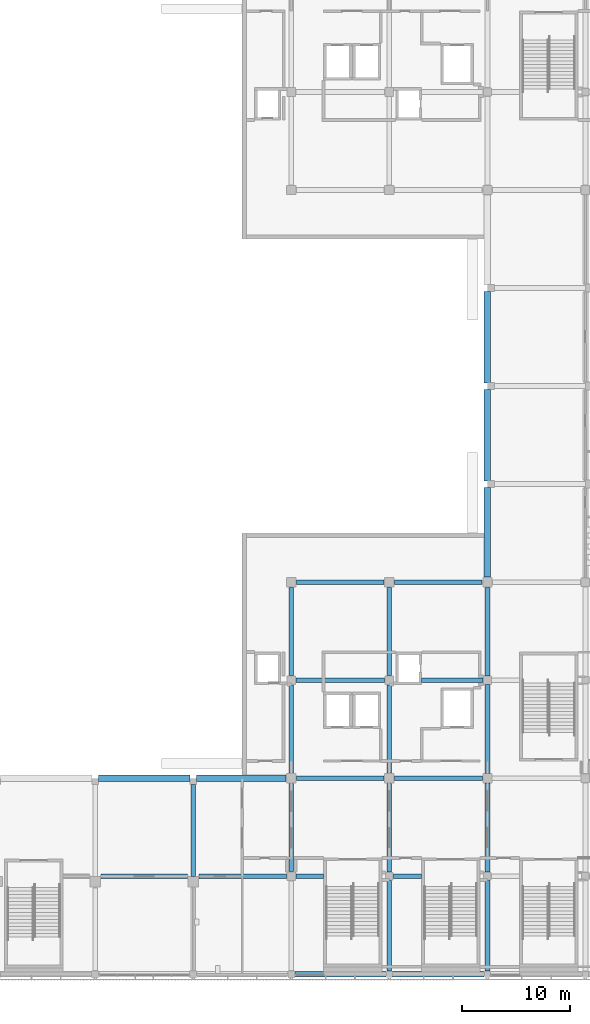
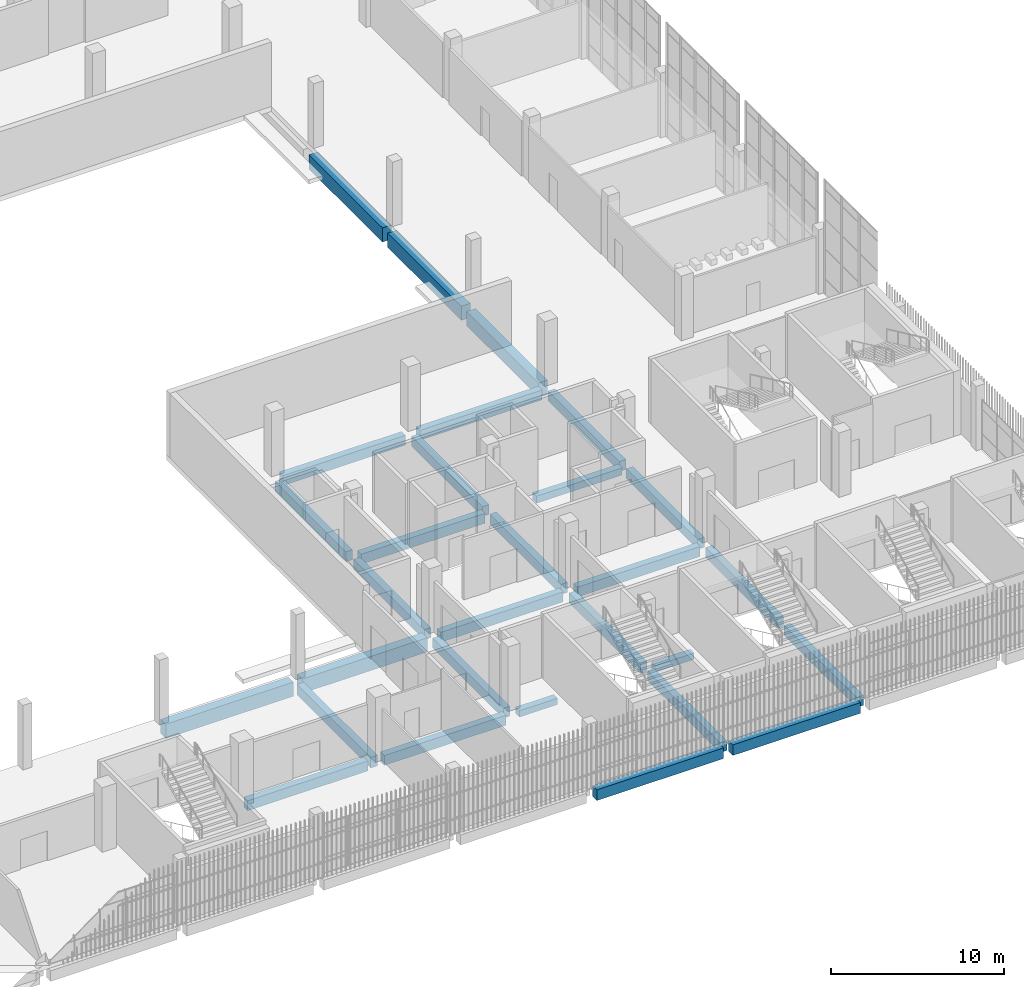
# One storey, part 24 of 126: 29 beams.
"""IFC4 building model written with IfcOpenShell, lengths in metres."""

from ifc_helpers import new_model, si_unit, direction, frame, origin, origin_2d, place, context, subcontext, project, spatial, rectangle, extrude, material, material_profile, profile_set, type_object, element, save


model = new_model("IFC4")

# Units and contexts
model_context = context("Model", 3, precision=1e-05, world=origin(), true_north=direction((0.0, 1.0)))
body_context = subcontext(model_context, "Body", "Model", "MODEL_VIEW")
ifc_project = project(units=[si_unit("LENGTHUNIT", "METRE"), si_unit("AREAUNIT", "SQUARE_METRE"), si_unit("VOLUMEUNIT", "CUBIC_METRE"), si_unit("PLANEANGLEUNIT", "RADIAN"), si_unit("MASSUNIT", "GRAM", prefix="KILO")], contexts=[model_context])

# Site, building, storey
site_placement = place(None, origin())
site = spatial("IfcSite", under=ifc_project, at=site_placement, CompositionType="ELEMENT")
building_placement = place(site_placement, origin())
building = spatial("IfcBuilding", under=site, at=building_placement, Name="Shirokan Park Arena", CompositionType="ELEMENT")
storey_placement = place(building_placement, frame((0.0, 0.0, 6.3701171875)))
storey = spatial("IfcBuildingStorey", under=building, at=storey_placement, Name="L01", CompositionType="ELEMENT", Elevation=6.3701171875)

# Beams
ifc_material = material(Name="Concrete C35", Category="concrete")
ifc_material_profile_1 = material_profile(ifc_material, rectangle(XDim=0.449951171875, YDim=0.5, at=origin_2d()), Name="450x500")
ifc_profile_set_1 = profile_set([ifc_material_profile_1], Name="Concrete C35")
beam_type_1 = type_object("IfcBeamType", Name="RC girder 450x500", PredefinedType="BEAM", material=ifc_profile_set_1)
beam_1_placement = place(storey_placement, frame((121.300048828125, 27.300048828125, -0.60009765625), z_axis=(1.0, 0.0, 0.0), x_axis=(0.0, 1.0, 0.0)))
element("IfcBeam", 1, at=beam_1_placement, inside=storey, type_object=beam_type_1, Name="Girder 14D-15D L01", PredefinedType="BEAM", context=body_context, shape_type="SweptSolid", body=[
    extrude(rectangle(XDim=0.449951171875, YDim=0.5, at=origin_2d()), origin(), (0.0, 0.0, 1.0), 5.699951171875),
])
ifc_material_profile_2 = material_profile(ifc_material, rectangle(XDim=0.449951171875, YDim=0.699951171875, at=origin_2d()), Name="450x700")
ifc_profile_set_2 = profile_set([ifc_material_profile_2], Name="Concrete C35")
beam_type_2 = type_object("IfcBeamType", Name="RC girder 450x700", PredefinedType="BEAM", material=ifc_profile_set_2)
beam_2_placement = place(storey_placement, frame((91.550048828125, 9.10009765625, -0.7001953125), z_axis=(1.0, 0.0, 0.0), x_axis=(0.0, 1.0, 0.0)))
element("IfcBeam", 2, at=beam_2_placement, inside=storey, type_object=beam_type_2, Name="Girder 11B-12B L01", PredefinedType="BEAM", context=body_context, shape_type="SweptSolid", body=[
    extrude(rectangle(XDim=0.449951171875, YDim=0.699951171875, at=origin_2d()), origin(), (0.0, 0.0, 1.0), 7.999755859375),
])
beam_3_placement = place(storey_placement, frame((100.650146484375, 9.10009765625, -0.7001953125), z_axis=(1.0, 0.0, 0.0), x_axis=(0.0, 1.0, 0.0)))
element("IfcBeam", 3, at=beam_3_placement, inside=storey, type_object=beam_type_2, Name="Girder 12B-13B L01", PredefinedType="BEAM", context=body_context, shape_type="SweptSolid", body=[
    extrude(rectangle(XDim=0.449951171875, YDim=0.699951171875, at=origin_2d()), origin(), (0.0, 0.0, 1.0), 8.099853515625),
])
beam_4_placement = place(storey_placement, frame((109.675048828125, 18.199951171875, -0.7001953125), z_axis=(1.0, 0.0, 0.0), x_axis=(0.0, 1.0, 0.0)))
element("IfcBeam", 4, at=beam_4_placement, inside=storey, type_object=beam_type_2, Name="Girder 13C-14C L01", PredefinedType="BEAM", context=body_context, shape_type="SweptSolid", body=[
    extrude(rectangle(XDim=0.449951171875, YDim=0.699951171875, at=origin_2d()), origin(), (0.0, 0.0, 1.0), 8.14990234375),
])
beam_5_placement = place(storey_placement, frame((109.625, 27.300048828125, -0.7001953125), z_axis=(1.0, 0.0, 0.0), x_axis=(0.0, 1.0, 0.0)))
element("IfcBeam", 5, at=beam_5_placement, inside=storey, type_object=beam_type_2, Name="Girder 13D-14D L01", PredefinedType="BEAM", context=body_context, shape_type="SweptSolid", body=[
    extrude(rectangle(XDim=0.449951171875, YDim=0.699951171875, at=origin_2d()), origin(), (0.0, 0.0, 1.0), 8.25),
])
beam_6_placement = place(storey_placement, frame((109.675048828125, 36.39990234375, -0.7001953125), z_axis=(1.0, 0.0, 0.0), x_axis=(0.0, 1.0, 0.0)))
element("IfcBeam", 6, at=beam_6_placement, inside=storey, type_object=beam_type_2, Name="Girder 13E-14E L01", PredefinedType="BEAM", context=body_context, shape_type="SweptSolid", body=[
    extrude(rectangle(XDim=0.449951171875, YDim=0.699951171875, at=origin_2d()), origin(), (0.0, 0.0, 1.0), 8.14990234375),
])
beam_7_placement = place(storey_placement, frame((118.775146484375, 18.199951171875, -0.7001953125), z_axis=(1.0, 0.0, 0.0), x_axis=(0.0, 1.0, 0.0)))
element("IfcBeam", 7, at=beam_7_placement, inside=storey, type_object=beam_type_2, Name="Girder 14C-15C L01", PredefinedType="BEAM", context=body_context, shape_type="SweptSolid", body=[
    extrude(rectangle(XDim=0.449951171875, YDim=0.699951171875, at=origin_2d()), origin(), (0.0, 0.0, 1.0), 8.1748046875),
])
beam_8_placement = place(storey_placement, frame((118.775146484375, 36.39990234375, -0.7001953125), z_axis=(1.0, 0.0, 0.0), x_axis=(0.0, 1.0, 0.0)))
element("IfcBeam", 8, at=beam_8_placement, inside=storey, type_object=beam_type_2, Name="Girder 14E-15E L01", PredefinedType="BEAM", context=body_context, shape_type="SweptSolid", body=[
    extrude(rectangle(XDim=0.449951171875, YDim=0.699951171875, at=origin_2d()), origin(), (0.0, 0.0, 1.0), 8.149658203125),
])
beam_9_placement = place(storey_placement, frame((109.199951171875, 9.550048828125, -0.7001953125), z_axis=(0.0, 1.0, 0.0), x_axis=(-1.0, 0.0, 0.0)))
element("IfcBeam", 9, at=beam_9_placement, inside=storey, type_object=beam_type_2, Name="Girder 13B-13C L01", PredefinedType="BEAM", context=body_context, shape_type="SweptSolid", body=[
    extrude(rectangle(XDim=0.449951171875, YDim=0.699951171875, at=origin_2d()), origin(), (0.0, 0.0, 1.0), 8.1748046875),
])
beam_10_placement = place(storey_placement, frame((109.199951171875, 18.675048828125, -0.7001953125), z_axis=(0.0, 1.0, 0.0), x_axis=(-1.0, 0.0, 0.0)))
element("IfcBeam", 10, at=beam_10_placement, inside=storey, type_object=beam_type_2, Name="Girder 13C-13D L01", PredefinedType="BEAM", context=body_context, shape_type="SweptSolid", body=[
    extrude(rectangle(XDim=0.449951171875, YDim=0.699951171875, at=origin_2d()), origin(), (0.0, 0.0, 1.0), 8.199951171875),
])
beam_11_placement = place(storey_placement, frame((109.199951171875, 27.72509765625, -0.7001953125), z_axis=(0.0, 1.0, 0.0), x_axis=(-1.0, 0.0, 0.0)))
element("IfcBeam", 11, at=beam_11_placement, inside=storey, type_object=beam_type_2, Name="Girder 13D-13E L01", PredefinedType="BEAM", context=body_context, shape_type="SweptSolid", body=[
    extrude(rectangle(XDim=0.449951171875, YDim=0.699951171875, at=origin_2d()), origin(), (0.0, 0.0, 1.0), 8.19970703125),
])
beam_12_placement = place(storey_placement, frame((118.300048828125, 0.300048828125, -0.7001953125), z_axis=(0.0, 1.0, 0.0), x_axis=(-1.0, 0.0, 0.0)))
element("IfcBeam", 12, at=beam_12_placement, inside=storey, type_object=beam_type_2, Name="Girder 14A-14B L01", PredefinedType="BEAM", context=body_context, shape_type="SweptSolid", body=[
    extrude(rectangle(XDim=0.449951171875, YDim=0.699951171875, at=origin_2d()), origin(), (0.0, 0.0, 1.0), 8.39990234375),
])
beam_13_placement = place(storey_placement, frame((118.300048828125, 9.5, -0.7001953125), z_axis=(0.0, 1.0, 0.0), x_axis=(-1.0, 0.0, 0.0)))
element("IfcBeam", 13, at=beam_13_placement, inside=storey, type_object=beam_type_2, Name="Girder 14B-14C L01", PredefinedType="BEAM", context=body_context, shape_type="SweptSolid", body=[
    extrude(rectangle(XDim=0.449951171875, YDim=0.699951171875, at=origin_2d()), origin(), (0.0, 0.0, 1.0), 8.224853515625),
])
beam_14_placement = place(storey_placement, frame((118.300048828125, 18.675048828125, -0.7001953125), z_axis=(0.0, 1.0, 0.0), x_axis=(-1.0, 0.0, 0.0)))
element("IfcBeam", 14, at=beam_14_placement, inside=storey, type_object=beam_type_2, Name="Girder 14C-14D L01", PredefinedType="BEAM", context=body_context, shape_type="SweptSolid", body=[
    extrude(rectangle(XDim=0.449951171875, YDim=0.699951171875, at=origin_2d()), origin(), (0.0, 0.0, 1.0), 8.199951171875),
])
beam_15_placement = place(storey_placement, frame((118.300048828125, 27.72509765625, -0.7001953125), z_axis=(0.0, 1.0, 0.0), x_axis=(-1.0, 0.0, 0.0)))
element("IfcBeam", 15, at=beam_15_placement, inside=storey, type_object=beam_type_2, Name="Girder 14D-14E L01", PredefinedType="BEAM", context=body_context, shape_type="SweptSolid", body=[
    extrude(rectangle(XDim=0.449951171875, YDim=0.699951171875, at=origin_2d()), origin(), (0.0, 0.0, 1.0), 8.19970703125),
])
beam_16_placement = place(storey_placement, frame((127.39990234375, 0.300048828125, -0.7001953125), z_axis=(0.0, 1.0, 0.0), x_axis=(-1.0, 0.0, 0.0)))
element("IfcBeam", 16, at=beam_16_placement, inside=storey, type_object=beam_type_2, Name="Girder 15A-15B L01", PredefinedType="BEAM", context=body_context, shape_type="SweptSolid", body=[
    extrude(rectangle(XDim=0.449951171875, YDim=0.699951171875, at=origin_2d()), origin(), (0.0, 0.0, 1.0), 8.39990234375),
])
beam_17_placement = place(storey_placement, frame((127.39990234375, 9.5, -0.7001953125), z_axis=(0.0, 1.0, 0.0), x_axis=(-1.0, 0.0, 0.0)))
element("IfcBeam", 17, at=beam_17_placement, inside=storey, type_object=beam_type_2, Name="Girder 15B-15C L01", PredefinedType="BEAM", context=body_context, shape_type="SweptSolid", body=[
    extrude(rectangle(XDim=0.449951171875, YDim=0.699951171875, at=origin_2d()), origin(), (0.0, 0.0, 1.0), 8.25),
])
beam_18_placement = place(storey_placement, frame((127.39990234375, 18.650146484375, -0.7001953125), z_axis=(0.0, 1.0, 0.0), x_axis=(-1.0, 0.0, 0.0)))
element("IfcBeam", 18, at=beam_18_placement, inside=storey, type_object=beam_type_2, Name="Girder 15C-15D L01", PredefinedType="BEAM", context=body_context, shape_type="SweptSolid", body=[
    extrude(rectangle(XDim=0.449951171875, YDim=0.699951171875, at=origin_2d()), origin(), (0.0, 0.0, 1.0), 8.249755859375),
])
beam_19_placement = place(storey_placement, frame((127.39990234375, 27.7001953125, -0.7001953125), z_axis=(0.0, 1.0, 0.0), x_axis=(-1.0, 0.0, 0.0)))
element("IfcBeam", 19, at=beam_19_placement, inside=storey, type_object=beam_type_2, Name="Girder 15D-15E L01", PredefinedType="BEAM", context=body_context, shape_type="SweptSolid", body=[
    extrude(rectangle(XDim=0.449951171875, YDim=0.699951171875, at=origin_2d()), origin(), (0.0, 0.0, 1.0), 8.224609375),
])
ifc_material_profile_3 = material_profile(ifc_material, rectangle(XDim=0.449951171875, YDim=0.75, at=origin_2d()), Name="450x750")
ifc_profile_set_3 = profile_set([ifc_material_profile_3], Name="Concrete C35")
beam_type_3 = type_object("IfcBeamType", Name="RC girder 450x750", PredefinedType="BEAM", material=ifc_profile_set_3)
beam_20_placement = place(storey_placement, frame((100.10009765625, 9.10009765625, -0.72509765625), z_axis=(0.0, 1.0, 0.0), x_axis=(-1.0, 0.0, 0.0)))
element("IfcBeam", 20, at=beam_20_placement, inside=storey, type_object=beam_type_3, Name="Girder 12B-12C L01", PredefinedType="BEAM", context=body_context, shape_type="SweptSolid", body=[
    extrude(rectangle(XDim=0.449951171875, YDim=0.75, at=origin_2d()), origin(), (0.0, 0.0, 1.0), 8.499755859375),
])
ifc_material_profile_4 = material_profile(ifc_material, rectangle(XDim=0.5, YDim=0.75, at=origin_2d()), Name="500x750")
ifc_profile_set_4 = profile_set([ifc_material_profile_4], Name="Concrete C35")
beam_type_4 = type_object("IfcBeamType", Name="RC girder 500x750", PredefinedType="BEAM", material=ifc_profile_set_4)
beam_21_placement = place(storey_placement, frame((109.550048828125, 0.0, -0.72509765625), z_axis=(1.0, 0.0, 0.0), x_axis=(0.0, 1.0, 0.0)))
element("IfcBeam", 21, at=beam_21_placement, inside=storey, type_object=beam_type_4, Name="Girder 13A-14A L01", PredefinedType="BEAM", context=body_context, shape_type="SweptSolid", body=[
    extrude(rectangle(XDim=0.5, YDim=0.75, at=origin_2d()), origin(), (0.0, 0.0, 1.0), 8.449951171875),
])
beam_22_placement = place(storey_placement, frame((118.60009765625, 0.0, -0.72509765625), z_axis=(1.0, 0.0, 0.0), x_axis=(0.0, 1.0, 0.0)))
element("IfcBeam", 22, at=beam_22_placement, inside=storey, type_object=beam_type_4, Name="Girder 14A-15A L01", PredefinedType="BEAM", context=body_context, shape_type="SweptSolid", body=[
    extrude(rectangle(XDim=0.5, YDim=0.75, at=origin_2d()), origin(), (0.0, 0.0, 1.0), 8.499755859375),
])
ifc_material_profile_5 = material_profile(ifc_material, rectangle(XDim=0.60009765625, YDim=1.0, at=origin_2d()), Name="600x1000")
ifc_profile_set_5 = profile_set([ifc_material_profile_5], Name="Concrete C35")
beam_type_5 = type_object("IfcBeamType", Name="RC girder 600x1000", PredefinedType="BEAM", material=ifc_profile_set_5)
beam_23_placement = place(storey_placement, frame((91.300048828125, 18.199951171875, -0.85009765625), z_axis=(1.0, 0.0, 0.0), x_axis=(0.0, 1.0, 0.0)))
element("IfcBeam", 23, at=beam_23_placement, inside=storey, type_object=beam_type_5, Name="Girder 11C-12C L01", PredefinedType="BEAM", context=body_context, shape_type="SweptSolid", body=[
    extrude(rectangle(XDim=0.60009765625, YDim=1.0, at=origin_2d()), origin(), (0.0, 0.0, 1.0), 8.499755859375),
])
beam_24_placement = place(storey_placement, frame((100.400146484375, 18.199951171875, -0.85009765625), z_axis=(1.0, 0.0, 0.0), x_axis=(0.0, 1.0, 0.0)))
element("IfcBeam", 24, at=beam_24_placement, inside=storey, type_object=beam_type_5, Name="Girder 12C-13C L01", PredefinedType="BEAM", context=body_context, shape_type="SweptSolid", body=[
    extrude(rectangle(XDim=0.60009765625, YDim=1.0, at=origin_2d()), origin(), (0.0, 0.0, 1.0), 8.32470703125),
])
beam_25_placement = place(storey_placement, frame((127.39990234375, 36.875, -0.85009765625), z_axis=(0.0, 1.0, 0.0), x_axis=(-1.0, 0.0, 0.0)))
element("IfcBeam", 25, at=beam_25_placement, inside=storey, type_object=beam_type_5, Name="Girder 15E-15F L01", PredefinedType="BEAM", context=body_context, shape_type="SweptSolid", body=[
    extrude(rectangle(XDim=0.60009765625, YDim=1.0, at=origin_2d()), origin(), (0.0, 0.0, 1.0), 8.324951171875),
])
for number, where, z_axis, x_axis, name in (
    (26, (127.39990234375, 45.800048828125, -0.85009765625), (0.0, 1.0, 0.0), (-1.0, 0.0, 0.0), "Girder 15F-15G L01"),
    (27, (127.39990234375, 54.900146484375, -0.85009765625), (0.0, 1.0, 0.0), (-1.0, 0.0, 0.0), "Girder 15G-15H L01"),
):
    element("IfcBeam", number, at=place(storey_placement, frame(where, z_axis=z_axis, x_axis=x_axis)), inside=storey, type_object=beam_type_5, Name=name, PredefinedType="BEAM", context=body_context, shape_type="SweptSolid", body=[
        extrude(rectangle(XDim=0.60009765625, YDim=1.0, at=origin_2d()), origin(), (0.0, 0.0, 1.0), 8.499755859375),
    ])
ifc_material_profile_6 = material_profile(ifc_material, rectangle(XDim=0.449951171875, YDim=0.449951171875, at=origin_2d()), Name="450x450")
ifc_profile_set_6 = profile_set([ifc_material_profile_6], Name="Concrete C35")
beam_type_6 = type_object("IfcBeamType", Name="RC trimmer 450x450", PredefinedType="BEAM", material=ifc_profile_set_6)
beam_26_placement = place(storey_placement, frame((109.650146484375, 9.10009765625, -0.5751953125), z_axis=(1.0, 0.0, 0.0), x_axis=(0.0, 1.0, 0.0)))
element("IfcBeam", 28, at=beam_26_placement, inside=storey, type_object=beam_type_6, Name="Girder 13B-14B L01", PredefinedType="BEAM", context=body_context, shape_type="SweptSolid", body=[
    extrude(rectangle(XDim=0.449951171875, YDim=0.449951171875, at=origin_2d()), origin(), (0.0, 0.0, 1.0), 2.5498046875),
])
beam_27_placement = place(storey_placement, frame((118.7001953125, 9.10009765625, -0.5751953125), z_axis=(1.0, 0.0, 0.0), x_axis=(0.0, 1.0, 0.0)))
element("IfcBeam", 29, at=beam_27_placement, inside=storey, type_object=beam_type_6, Name="Girder 14B-15B L01", PredefinedType="BEAM", context=body_context, shape_type="SweptSolid", body=[
    extrude(rectangle(XDim=0.449951171875, YDim=0.449951171875, at=origin_2d()), origin(), (0.0, 0.0, 1.0), 2.599853515625),
])

save(model, "model.ifc")
